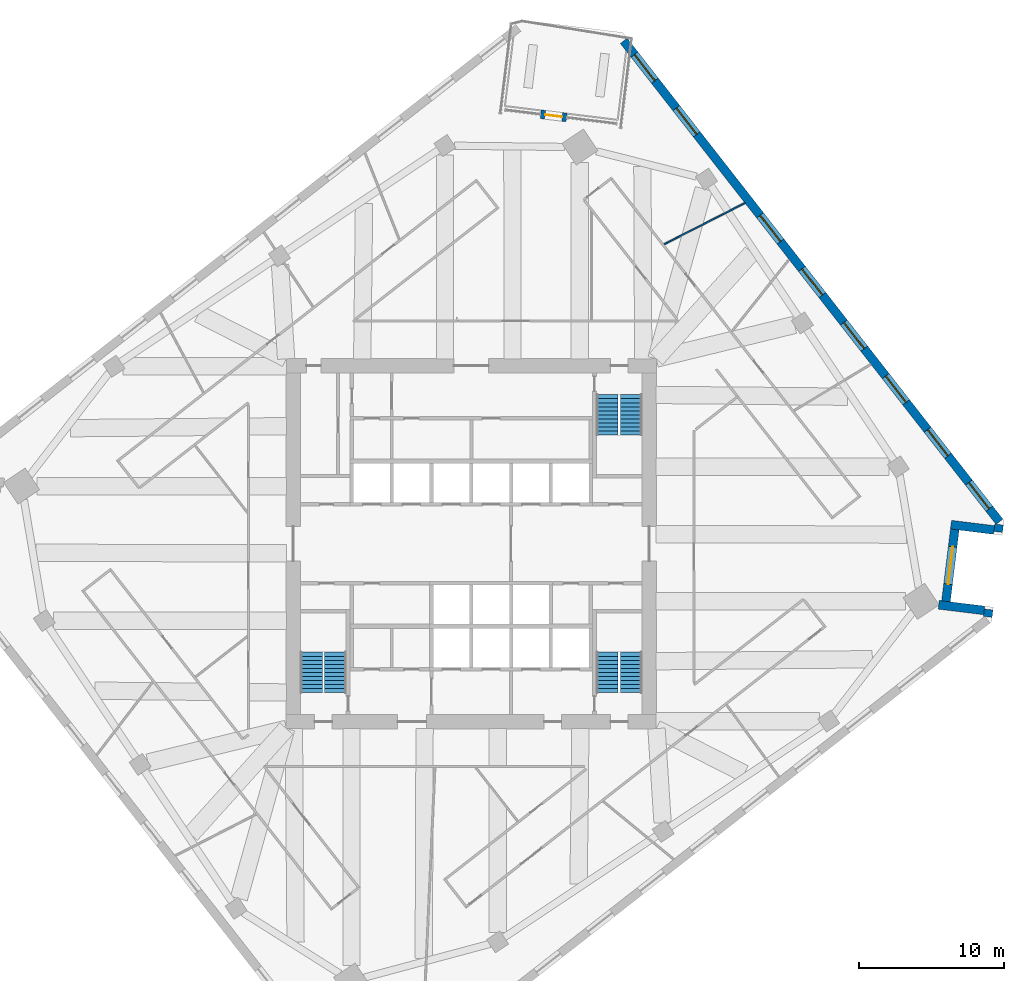
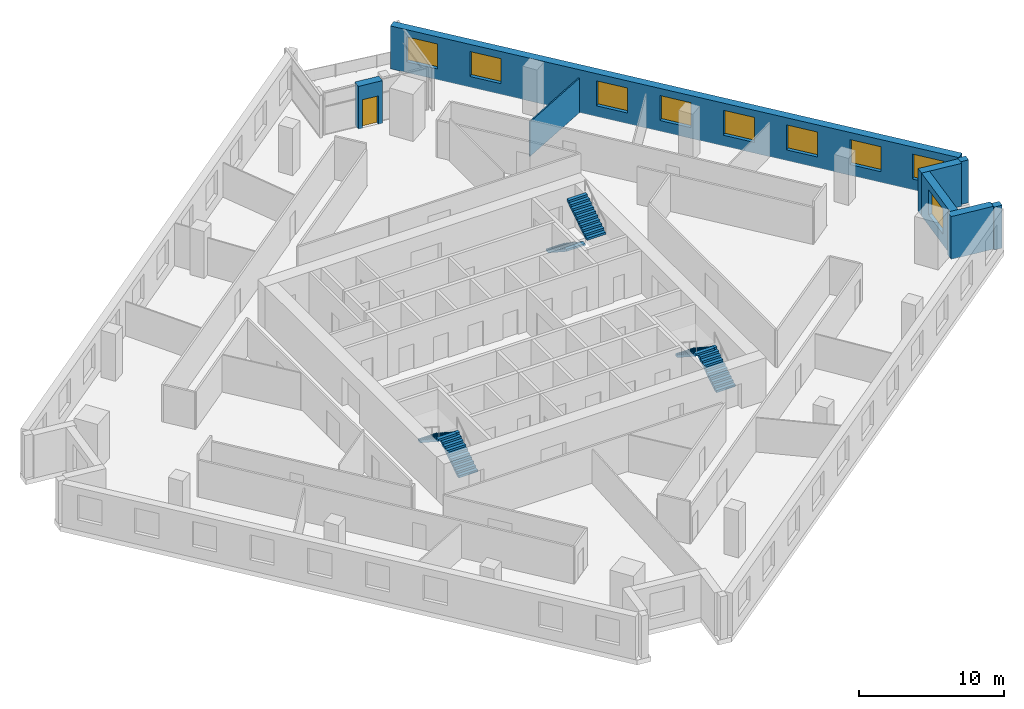
# One storey, part 9 of 11: 9 windows, 8 walls, 6 stair flights, 1 door, 10 openings, 3 elements without a shape of their own.
"""IFC4 building model written with IfcOpenShell, lengths in metres."""

from ifc_helpers import new_model, si_unit, direction, frame, frame_2d, origin, place, context, subcontext, project, spatial, polyline, rectangle, outline, extrude, material, layer, layer_set, type_object, element, fill, aggregate, save


model = new_model("IFC4")

# Units and contexts
model_context = context("Model", 3, precision=1e-05, world=origin(), true_north=direction((0.0, 1.0)))
body_context = subcontext(model_context, "Body", "Model", "MODEL_VIEW")
ifc_project = project(units=[si_unit("LENGTHUNIT", "METRE"), si_unit("AREAUNIT", "SQUARE_METRE"), si_unit("VOLUMEUNIT", "CUBIC_METRE"), si_unit("PLANEANGLEUNIT", "RADIAN"), si_unit("MASSUNIT", "GRAM", prefix="KILO")], contexts=[model_context])

# Site, building, storey
site_placement = place(None, origin())
site = spatial("IfcSite", under=ifc_project, at=site_placement, CompositionType="ELEMENT")
building_placement = place(site_placement, origin())
building = spatial("IfcBuilding", under=site, at=building_placement, Name="Dilmun Exchange Tower", CompositionType="ELEMENT")
storey_placement = place(building_placement, frame((0.0, 0.0, 179.699951171875)))
storey = spatial("IfcBuildingStorey", under=building, at=storey_placement, Name="L42", CompositionType="ELEMENT", Elevation=179.699951171875)

# Walls
ifc_material_1 = material(Name="Partition 100")
ifc_layer_1 = layer(ifc_material_1, 0.10009765625)
ifc_layer_set_1 = layer_set([ifc_layer_1], Name="Partition 100")
wall_type_1 = type_object("IfcWallType", Name="Partition 100", PredefinedType="PARTITIONING", material=ifc_layer_set_1)
wall_1_placement = place(storey_placement, frame((13.32958984375, 20.6962890625, 0.0), z_axis=(0.0, 0.0, 1.0), x_axis=(0.890489061699, 0.455004649421, 0.0)))
element("IfcWall", 1, at=wall_1_placement, inside=storey, type_object=wall_type_1, Name="Partition", PredefinedType="PARTITIONING", context=body_context, shape_type="SweptSolid", body=[
    extrude(rectangle(XDim=6.26611328125, YDim=0.10009765625, at=frame_2d((3.133056640625, 0.0))), origin(), (0.0, 0.0, 1.0), 2.900146484375),
])
ifc_material_2 = material(Name="Precast concrete C50/60", Category="concrete")
ifc_layer_2 = layer(ifc_material_2, 0.60009765625)
ifc_layer_set_2 = layer_set([ifc_layer_2], Name="Precast concrete C50/60")
wall_type_2 = type_object("IfcWallType", Name="Precast stone-clad wall 600", PredefinedType="STANDARD", material=ifc_layer_set_2)
wall_2_placement = place(storey_placement, frame((35.695556640625, -5.053466796875, 0.0), z_axis=(0.0, 0.0, 1.0), x_axis=(0.121800492671, 0.992554603024, 0.0)))
element("IfcWall", 2, at=wall_2_placement, inside=storey, type_object=wall_type_2, Name="Facade wall L42-16", PredefinedType="STANDARD", context=body_context, shape_type="SweptSolid", body=[
    extrude(rectangle(XDim=0.51123046875, YDim=0.60009765625, at=frame_2d((0.255615234375, 0.0))), origin(), (0.0, 0.0, 1.0), 3.60009765625),
])
wall_3_placement = place(storey_placement, frame((35.44775390625, -4.60888671875, 0.0), z_axis=(0.0, 0.0, 1.0), x_axis=(-0.992542310393, 0.12190062379, 0.0)))
element("IfcWall", 3, at=wall_3_placement, inside=storey, type_object=wall_type_2, Name="Facade wall L42-17", PredefinedType="STANDARD", context=body_context, shape_type="SweptSolid", body=[
    extrude(rectangle(XDim=3.16845703125, YDim=0.60009765625, at=frame_2d((1.584228515625, 0.0))), origin(), (0.0, 0.0, 1.0), 3.60009765625),
])

# Wall, opening, window
wall_4_placement = place(storey_placement, frame((32.804443359375, -3.98193359375, 0.0), z_axis=(0.0, 0.0, 1.0), x_axis=(0.121876954874, 0.992545217041, 0.0)))
wall_4 = element("IfcWall", 4, at=wall_4_placement, inside=storey, type_object=wall_type_2, Name="Facade wall L42-18", PredefinedType="STANDARD", context=body_context, shape_type="SweptSolid", body=[
    extrude(rectangle(XDim=5.0, YDim=0.60009765625, at=frame_2d((2.5, 0.0))), origin(), (0.0, 0.0, 1.0), 3.60009765625),
])
opening_1_placement = place(wall_4_placement, frame((1.199951171875, 0.0, 0.89990234375)))
opening_1 = element("IfcOpeningElement", 5, at=opening_1_placement, cuts=wall_4, Name="Opening W260-210", PredefinedType="OPENING", context=body_context, shape_type="SweptSolid", body=[
    extrude(rectangle(XDim=2.60009765625, YDim=2.10009765625, at=frame_2d((1.300048828125, 1.050048828125))), frame((0.0, 0.31005859375, 0.0), z_axis=(0.0, -1.0, 0.0), x_axis=(1.0, 0.0, 0.0)), (0.0, 0.0, 1.0), 0.6201171875),
])
ifc_material_3 = material(Name="Clear low-emissivity glass in aluminium frame", Category="aluminium")
window_type_1 = type_object("IfcWindowType", Name="Punched window 2600 x 2100", PartitioningType="DOUBLE_PANEL_VERTICAL", PredefinedType="WINDOW", material=ifc_material_3)
window_1_placement = place(opening_1_placement, origin())
window_1 = element("IfcWindow", 6, at=window_1_placement, inside=storey, type_object=window_type_1, Name="Window 19.1", OverallHeight=2.10009765625, OverallWidth=2.60009765625, PartitioningType="SINGLE_PANEL", PredefinedType="WINDOW", context=body_context, shape_type="SweptSolid", body=[
    extrude(rectangle(XDim=2.60009765625, YDim=2.10009765625, at=frame_2d((1.300048828125, 1.050048828125))), frame((0.0, 0.030029296875, 0.0), z_axis=(0.0, -1.0, 0.0), x_axis=(1.0, 0.0, 0.0)), (0.0, 0.0, 1.0), 0.06005859375),
])
fill(opening_1, window_1)

# Walls
wall_5_placement = place(storey_placement, frame((33.152587890625, 1.315185546875, 0.0), z_axis=(0.0, 0.0, 1.0), x_axis=(0.992542246186, -0.121901146576, 0.0)))
element("IfcWall", 7, at=wall_5_placement, inside=storey, type_object=wall_type_2, Name="Facade wall L42-19", PredefinedType="STANDARD", context=body_context, shape_type="SweptSolid", body=[
    extrude(rectangle(XDim=3.000244140625, YDim=0.60009765625, at=frame_2d((1.5, 0.0))), origin(), (0.0, 0.0, 1.0), 3.60009765625),
])
wall_6_placement = place(storey_placement, frame((36.416015625, 0.813720703125, 0.0), z_axis=(0.0, 0.0, 1.0), x_axis=(0.121800492671, 0.992554603024, 0.0)))
element("IfcWall", 8, at=wall_6_placement, inside=storey, type_object=wall_type_2, Name="Facade wall L42-20", PredefinedType="STANDARD", context=body_context, shape_type="SweptSolid", body=[
    extrude(rectangle(XDim=0.51123046875, YDim=0.60009765625, at=frame_2d((0.255615234375, 0.0))), origin(), (0.0, 0.0, 1.0), 3.60009765625),
])

# Wall, openings, windows
wall_7_placement = place(storey_placement, frame((36.502685546875, 1.51953125, 0.0), z_axis=(0.0, 0.0, 1.0), x_axis=(-0.615660779349, 0.788011297363, 0.0)))
wall_7 = element("IfcWall", 9, at=wall_7_placement, inside=storey, type_object=wall_type_2, Name="Facade wall L42-21", PredefinedType="STANDARD", context=body_context, shape_type="SweptSolid", body=[
    extrude(rectangle(XDim=42.176025390625, YDim=0.60009765625, at=frame_2d((21.087890625, 0.0))), origin(), (0.0, 0.0, 1.0), 3.60009765625),
])
opening_2_placement = place(wall_7_placement, frame((1.137939453125, 0.0, 0.89990234375)))
opening_2 = element("IfcOpeningElement", 10, at=opening_2_placement, cuts=wall_7, Name="Opening W230-210", PredefinedType="OPENING", context=body_context, shape_type="SweptSolid", body=[
    extrude(rectangle(XDim=2.300048828125, YDim=2.10009765625, at=frame_2d((1.14990234375, 1.050048828125))), frame((0.0, 0.31005859375, 0.0), z_axis=(0.0, -1.0, 0.0), x_axis=(1.0, 0.0, 0.0)), (0.0, 0.0, 1.0), 0.6201171875),
])
opening_3_placement = place(wall_7_placement, frame((5.775634765625, 0.0, 0.89990234375)))
opening_3 = element("IfcOpeningElement", 11, at=opening_3_placement, cuts=wall_7, Name="Opening W230-210", PredefinedType="OPENING", context=body_context, shape_type="SweptSolid", body=[
    extrude(rectangle(XDim=2.300048828125, YDim=2.10009765625, at=frame_2d((1.14990234375, 1.050048828125))), frame((0.0, 0.31005859375, 0.0), z_axis=(0.0, -1.0, 0.0), x_axis=(1.0, 0.0, 0.0)), (0.0, 0.0, 1.0), 0.6201171875),
])
opening_4_placement = place(wall_7_placement, frame((10.4755859375, 0.0, 0.89990234375)))
opening_4 = element("IfcOpeningElement", 12, at=opening_4_placement, cuts=wall_7, Name="Opening W230-210", PredefinedType="OPENING", context=body_context, shape_type="SweptSolid", body=[
    extrude(rectangle(XDim=2.300048828125, YDim=2.10009765625, at=frame_2d((1.14990234375, 1.050048828125))), frame((0.0, 0.31005859375, 0.0), z_axis=(0.0, -1.0, 0.0), x_axis=(1.0, 0.0, 0.0)), (0.0, 0.0, 1.0), 0.6201171875),
])
opening_5_placement = place(wall_7_placement, frame((15.17578125, 0.0, 0.89990234375)))
opening_5 = element("IfcOpeningElement", 13, at=opening_5_placement, cuts=wall_7, Name="Opening W230-210", PredefinedType="OPENING", context=body_context, shape_type="SweptSolid", body=[
    extrude(rectangle(XDim=2.300048828125, YDim=2.10009765625, at=frame_2d((1.14990234375, 1.050048828125))), frame((0.0, 0.31005859375, 0.0), z_axis=(0.0, -1.0, 0.0), x_axis=(1.0, 0.0, 0.0)), (0.0, 0.0, 1.0), 0.6201171875),
])
opening_6_placement = place(wall_7_placement, frame((19.875732421875, 0.0, 0.89990234375)))
opening_6 = element("IfcOpeningElement", 14, at=opening_6_placement, cuts=wall_7, Name="Opening W230-210", PredefinedType="OPENING", context=body_context, shape_type="SweptSolid", body=[
    extrude(rectangle(XDim=2.300048828125, YDim=2.10009765625, at=frame_2d((1.14990234375, 1.050048828125))), frame((0.0, 0.31005859375, 0.0), z_axis=(0.0, -1.0, 0.0), x_axis=(1.0, 0.0, 0.0)), (0.0, 0.0, 1.0), 0.6201171875),
])
opening_7_placement = place(wall_7_placement, frame((24.57568359375, 0.0, 0.89990234375)))
opening_7 = element("IfcOpeningElement", 15, at=opening_7_placement, cuts=wall_7, Name="Opening W230-210", PredefinedType="OPENING", context=body_context, shape_type="SweptSolid", body=[
    extrude(rectangle(XDim=2.300048828125, YDim=2.10009765625, at=frame_2d((1.14990234375, 1.050048828125))), frame((0.0, 0.31005859375, 0.0), z_axis=(0.0, -1.0, 0.0), x_axis=(1.0, 0.0, 0.0)), (0.0, 0.0, 1.0), 0.6201171875),
])
opening_8_placement = place(wall_7_placement, frame((33.9755859375, 0.0, 0.89990234375)))
opening_8 = element("IfcOpeningElement", 16, at=opening_8_placement, cuts=wall_7, Name="Opening W230-210", PredefinedType="OPENING", context=body_context, shape_type="SweptSolid", body=[
    extrude(rectangle(XDim=2.300048828125, YDim=2.10009765625, at=frame_2d((1.14990234375, 1.050048828125))), frame((0.0, 0.31005859375, 0.0), z_axis=(0.0, -1.0, 0.0), x_axis=(1.0, 0.0, 0.0)), (0.0, 0.0, 1.0), 0.6201171875),
])
opening_9_placement = place(wall_7_placement, frame((38.67578125, 0.0, 0.89990234375)))
opening_9 = element("IfcOpeningElement", 17, at=opening_9_placement, cuts=wall_7, Name="Opening W230-210", PredefinedType="OPENING", context=body_context, shape_type="SweptSolid", body=[
    extrude(rectangle(XDim=2.300048828125, YDim=2.10009765625, at=frame_2d((1.14990234375, 1.050048828125))), frame((0.0, 0.31005859375, 0.0), z_axis=(0.0, -1.0, 0.0), x_axis=(1.0, 0.0, 0.0)), (0.0, 0.0, 1.0), 0.6201171875),
])
window_type_2 = type_object("IfcWindowType", Name="Punched window 2300 x 2100", PartitioningType="DOUBLE_PANEL_VERTICAL", PredefinedType="WINDOW", material=ifc_material_3)
window_2_placement = place(opening_2_placement, origin())
window_2 = element("IfcWindow", 18, at=window_2_placement, inside=storey, type_object=window_type_2, Name="Window 22.1", OverallHeight=2.10009765625, OverallWidth=2.300048828125, PartitioningType="SINGLE_PANEL", PredefinedType="WINDOW", context=body_context, shape_type="SweptSolid", body=[
    extrude(rectangle(XDim=2.300048828125, YDim=2.10009765625, at=frame_2d((1.14990234375, 1.050048828125))), frame((0.0, 0.030029296875, 0.0), z_axis=(0.0, -1.0, 0.0), x_axis=(1.0, 0.0, 0.0)), (0.0, 0.0, 1.0), 0.06005859375),
])
fill(opening_2, window_2)
window_3_placement = place(opening_3_placement, origin())
window_3 = element("IfcWindow", 19, at=window_3_placement, inside=storey, type_object=window_type_2, Name="Window 22.2", OverallHeight=2.10009765625, OverallWidth=2.300048828125, PartitioningType="SINGLE_PANEL", PredefinedType="WINDOW", context=body_context, shape_type="SweptSolid", body=[
    extrude(rectangle(XDim=2.300048828125, YDim=2.10009765625, at=frame_2d((1.14990234375, 1.050048828125))), frame((0.0, 0.030029296875, 0.0), z_axis=(0.0, -1.0, 0.0), x_axis=(1.0, 0.0, 0.0)), (0.0, 0.0, 1.0), 0.06005859375),
])
fill(opening_3, window_3)
window_4_placement = place(opening_4_placement, origin())
window_4 = element("IfcWindow", 20, at=window_4_placement, inside=storey, type_object=window_type_2, Name="Window 22.3", OverallHeight=2.10009765625, OverallWidth=2.300048828125, PartitioningType="SINGLE_PANEL", PredefinedType="WINDOW", context=body_context, shape_type="SweptSolid", body=[
    extrude(rectangle(XDim=2.300048828125, YDim=2.10009765625, at=frame_2d((1.14990234375, 1.050048828125))), frame((0.0, 0.030029296875, 0.0), z_axis=(0.0, -1.0, 0.0), x_axis=(1.0, 0.0, 0.0)), (0.0, 0.0, 1.0), 0.06005859375),
])
fill(opening_4, window_4)
window_5_placement = place(opening_5_placement, origin())
window_5 = element("IfcWindow", 21, at=window_5_placement, inside=storey, type_object=window_type_2, Name="Window 22.4", OverallHeight=2.10009765625, OverallWidth=2.300048828125, PartitioningType="SINGLE_PANEL", PredefinedType="WINDOW", context=body_context, shape_type="SweptSolid", body=[
    extrude(rectangle(XDim=2.300048828125, YDim=2.10009765625, at=frame_2d((1.14990234375, 1.050048828125))), frame((0.0, 0.030029296875, 0.0), z_axis=(0.0, -1.0, 0.0), x_axis=(1.0, 0.0, 0.0)), (0.0, 0.0, 1.0), 0.06005859375),
])
fill(opening_5, window_5)
window_6_placement = place(opening_6_placement, origin())
window_6 = element("IfcWindow", 22, at=window_6_placement, inside=storey, type_object=window_type_2, Name="Window 22.5", OverallHeight=2.10009765625, OverallWidth=2.300048828125, PartitioningType="SINGLE_PANEL", PredefinedType="WINDOW", context=body_context, shape_type="SweptSolid", body=[
    extrude(rectangle(XDim=2.300048828125, YDim=2.10009765625, at=frame_2d((1.14990234375, 1.050048828125))), frame((0.0, 0.030029296875, 0.0), z_axis=(0.0, -1.0, 0.0), x_axis=(1.0, 0.0, 0.0)), (0.0, 0.0, 1.0), 0.06005859375),
])
fill(opening_6, window_6)
window_7_placement = place(opening_7_placement, origin())
window_7 = element("IfcWindow", 23, at=window_7_placement, inside=storey, type_object=window_type_2, Name="Window 22.6", OverallHeight=2.10009765625, OverallWidth=2.300048828125, PartitioningType="SINGLE_PANEL", PredefinedType="WINDOW", context=body_context, shape_type="SweptSolid", body=[
    extrude(rectangle(XDim=2.300048828125, YDim=2.10009765625, at=frame_2d((1.14990234375, 1.050048828125))), frame((0.0, 0.030029296875, 0.0), z_axis=(0.0, -1.0, 0.0), x_axis=(1.0, 0.0, 0.0)), (0.0, 0.0, 1.0), 0.06005859375),
])
fill(opening_7, window_7)
window_8_placement = place(opening_8_placement, origin())
window_8 = element("IfcWindow", 24, at=window_8_placement, inside=storey, type_object=window_type_2, Name="Window 22.8", OverallHeight=2.10009765625, OverallWidth=2.300048828125, PartitioningType="SINGLE_PANEL", PredefinedType="WINDOW", context=body_context, shape_type="SweptSolid", body=[
    extrude(rectangle(XDim=2.300048828125, YDim=2.10009765625, at=frame_2d((1.14990234375, 1.050048828125))), frame((0.0, 0.030029296875, 0.0), z_axis=(0.0, -1.0, 0.0), x_axis=(1.0, 0.0, 0.0)), (0.0, 0.0, 1.0), 0.06005859375),
])
fill(opening_8, window_8)
window_9_placement = place(opening_9_placement, origin())
window_9 = element("IfcWindow", 25, at=window_9_placement, inside=storey, type_object=window_type_2, Name="Window 22.9", OverallHeight=2.10009765625, OverallWidth=2.300048828125, PartitioningType="SINGLE_PANEL", PredefinedType="WINDOW", context=body_context, shape_type="SweptSolid", body=[
    extrude(rectangle(XDim=2.300048828125, YDim=2.10009765625, at=frame_2d((1.14990234375, 1.050048828125))), frame((0.0, 0.030029296875, 0.0), z_axis=(0.0, -1.0, 0.0), x_axis=(1.0, 0.0, 0.0)), (0.0, 0.0, 1.0), 0.06005859375),
])
fill(opening_9, window_9)

# Wall, opening, door
wall_8_placement = place(storey_placement, frame((6.585205078125, 29.46240234375, 0.0), z_axis=(0.0, 0.0, 1.0), x_axis=(-0.992554965996, 0.121797534772, 0.0)))
wall_8 = element("IfcWall", 26, at=wall_8_placement, inside=storey, type_object=wall_type_2, Name="Facade wall L42-01-D", PredefinedType="STANDARD", context=body_context, shape_type="SweptSolid", body=[
    extrude(rectangle(XDim=1.800048828125, YDim=0.60009765625, at=frame_2d((0.89990234375, 0.0))), origin(), (0.0, 0.0, 1.0), 3.60009765625),
])
opening_10_placement = place(wall_8_placement, frame((0.300048828125, 0.0, 0.0)))
opening_10 = element("IfcOpeningElement", 27, at=opening_10_placement, cuts=wall_8, Name="Opening GD-1", PredefinedType="OPENING", context=body_context, shape_type="SweptSolid", body=[
    extrude(rectangle(XDim=1.199951171875, YDim=2.39990234375, at=frame_2d((0.60009765625, 1.199951171875))), frame((0.0, 0.31005859375, 0.0), z_axis=(0.0, -1.0, 0.0), x_axis=(1.0, 0.0, 0.0)), (0.0, 0.0, 1.0), 0.6201171875),
])
door_type = type_object("IfcDoorType", Name="Glazed garden door 1200 x 2400", OperationType="SINGLE_SWING_LEFT", PredefinedType="DOOR", material=ifc_material_3)
door_placement = place(opening_10_placement, origin())
door = element("IfcDoor", 28, at=door_placement, inside=storey, type_object=door_type, Name="Garden terrace door", OperationType="SINGLE_SWING_LEFT", OverallHeight=2.39990234375, OverallWidth=1.199951171875, PredefinedType="DOOR", context=body_context, shape_type="SweptSolid", body=[
    extrude(rectangle(XDim=1.199951171875, YDim=2.39990234375, at=frame_2d((0.60009765625, 1.199951171875))), frame((0.0, 0.02490234375, 0.0), z_axis=(0.0, -1.0, 0.0), x_axis=(1.0, 0.0, 0.0)), (0.0, 0.0, 1.0), 0.050048828125),
])
fill(opening_10, door)

# Stair, stair flights
ifc_material_4 = material(Name="Concrete C40/50", Category="concrete")
stair_type = type_object("IfcStairType", Name="Exit stair 1500 half-turn", PredefinedType="HALF_TURN_STAIR", material=ifc_material_4)
stair_1_placement = place(storey_placement, origin())
stair_1 = element("IfcStair", 29, at=stair_1_placement, inside=storey, type_object=stair_type, Name="L42 Protected exit stair ST1", PredefinedType="HALF_TURN_STAIR")
stair_flight_type = type_object("IfcStairFlightType", Name="Exit stair flight 1500", PredefinedType="STRAIGHT", material=ifc_material_4)
stair_flight_1_placement = place(storey_placement, frame((9.39990234375, 10.300048828125, 0.0), z_axis=(0.0, 0.0, 1.0), x_axis=(0.0, -1.0, 0.0)))
stair_flight_1 = element("IfcStairFlight", 30, at=stair_flight_1_placement, type_object=stair_flight_type, Name="ST1 flight 1", NumberOfRisers=11, NumberOfTreads=10, PredefinedType="STRAIGHT", RiserHeight=0.181818182, TreadLength=0.28, context=body_context, shape_type="SweptSolid", body=[
    extrude(outline(polyline([(0.0, 0.0), (0.0, 0.181884765625), (0.280029296875, 0.181884765625), (0.280029296875, 0.363525390625), (0.56005859375, 0.363525390625), (0.56005859375, 0.54541015625), (0.840087890625, 0.54541015625), (0.840087890625, 0.727294921875), (1.1201171875, 0.727294921875), (1.1201171875, 0.9091796875), (1.39990234375, 0.9091796875), (1.39990234375, 1.0908203125), (1.679931640625, 1.0908203125), (1.679931640625, 1.272705078125), (1.9599609375, 1.272705078125), (1.9599609375, 1.45458984375), (2.239990234375, 1.45458984375), (2.239990234375, 1.636474609375), (2.52001953125, 1.636474609375), (2.52001953125, 1.818115234375), (2.800048828125, 1.818115234375), (2.800048828125, 2.0), (2.800048828125, 1.639404296875), (0.275146484375, 0.0), (0.0, 0.0)])), frame((0.0, 0.75, 0.0), z_axis=(0.0, -1.0, 0.0), x_axis=(1.0, 0.0, 0.0)), (0.0, 0.0, 1.0), 1.5),
])
stair_flight_2_placement = place(storey_placement, frame((11.050048828125, 7.5, 2.0), z_axis=(0.0, 0.0, 1.0), x_axis=(0.0, 1.0, 0.0)))
stair_flight_2 = element("IfcStairFlight", 31, at=stair_flight_2_placement, type_object=stair_flight_type, Name="ST1 flight 2", NumberOfRisers=11, NumberOfTreads=10, PredefinedType="STRAIGHT", RiserHeight=0.181818182, TreadLength=0.28, context=body_context, shape_type="SweptSolid", body=[
    extrude(outline(polyline([(0.0, 0.0), (0.0, 0.181884765625), (0.280029296875, 0.181884765625), (0.280029296875, 0.363525390625), (0.56005859375, 0.363525390625), (0.56005859375, 0.54541015625), (0.840087890625, 0.54541015625), (0.840087890625, 0.727294921875), (1.1201171875, 0.727294921875), (1.1201171875, 0.9091796875), (1.39990234375, 0.9091796875), (1.39990234375, 1.0908203125), (1.679931640625, 1.0908203125), (1.679931640625, 1.272705078125), (1.9599609375, 1.272705078125), (1.9599609375, 1.45458984375), (2.239990234375, 1.45458984375), (2.239990234375, 1.636474609375), (2.52001953125, 1.636474609375), (2.52001953125, 1.818115234375), (2.800048828125, 1.818115234375), (2.800048828125, 2.0), (2.800048828125, 1.639404296875), (0.275146484375, 0.0), (0.0, 0.0)])), frame((0.0, 0.75, 0.0), z_axis=(0.0, -1.0, 0.0), x_axis=(1.0, 0.0, 0.0)), (0.0, 0.0, 1.0), 1.5),
])
aggregate(stair_1, [stair_flight_1, stair_flight_2])

stair_2_placement = place(storey_placement, origin())
stair_2 = element("IfcStair", 32, at=stair_2_placement, inside=storey, type_object=stair_type, Name="L42 Protected exit stair ST2", PredefinedType="HALF_TURN_STAIR")
stair_flight_3_placement = place(storey_placement, frame((-9.39990234375, -10.300048828125, 0.0), z_axis=(0.0, 0.0, 1.0), x_axis=(0.0, 1.0, 0.0)))
stair_flight_3 = element("IfcStairFlight", 33, at=stair_flight_3_placement, type_object=stair_flight_type, Name="ST2 flight 1", NumberOfRisers=11, NumberOfTreads=10, PredefinedType="STRAIGHT", RiserHeight=0.181818182, TreadLength=0.28, context=body_context, shape_type="SweptSolid", body=[
    extrude(outline(polyline([(0.0, 0.0), (0.0, 0.181884765625), (0.280029296875, 0.181884765625), (0.280029296875, 0.363525390625), (0.56005859375, 0.363525390625), (0.56005859375, 0.54541015625), (0.840087890625, 0.54541015625), (0.840087890625, 0.727294921875), (1.1201171875, 0.727294921875), (1.1201171875, 0.9091796875), (1.39990234375, 0.9091796875), (1.39990234375, 1.0908203125), (1.679931640625, 1.0908203125), (1.679931640625, 1.272705078125), (1.9599609375, 1.272705078125), (1.9599609375, 1.45458984375), (2.239990234375, 1.45458984375), (2.239990234375, 1.636474609375), (2.52001953125, 1.636474609375), (2.52001953125, 1.818115234375), (2.800048828125, 1.818115234375), (2.800048828125, 2.0), (2.800048828125, 1.639404296875), (0.275146484375, 0.0), (0.0, 0.0)])), frame((0.0, 0.75, 0.0), z_axis=(0.0, -1.0, 0.0), x_axis=(1.0, 0.0, 0.0)), (0.0, 0.0, 1.0), 1.5),
])
stair_flight_4_placement = place(storey_placement, frame((-11.050048828125, -7.5, 2.0), z_axis=(0.0, 0.0, 1.0), x_axis=(0.0, -1.0, 0.0)))
stair_flight_4 = element("IfcStairFlight", 34, at=stair_flight_4_placement, type_object=stair_flight_type, Name="ST2 flight 2", NumberOfRisers=11, NumberOfTreads=10, PredefinedType="STRAIGHT", RiserHeight=0.181818182, TreadLength=0.28, context=body_context, shape_type="SweptSolid", body=[
    extrude(outline(polyline([(0.0, 0.0), (0.0, 0.181884765625), (0.280029296875, 0.181884765625), (0.280029296875, 0.363525390625), (0.56005859375, 0.363525390625), (0.56005859375, 0.54541015625), (0.840087890625, 0.54541015625), (0.840087890625, 0.727294921875), (1.1201171875, 0.727294921875), (1.1201171875, 0.9091796875), (1.39990234375, 0.9091796875), (1.39990234375, 1.0908203125), (1.679931640625, 1.0908203125), (1.679931640625, 1.272705078125), (1.9599609375, 1.272705078125), (1.9599609375, 1.45458984375), (2.239990234375, 1.45458984375), (2.239990234375, 1.636474609375), (2.52001953125, 1.636474609375), (2.52001953125, 1.818115234375), (2.800048828125, 1.818115234375), (2.800048828125, 2.0), (2.800048828125, 1.639404296875), (0.275146484375, 0.0), (0.0, 0.0)])), frame((0.0, 0.75, 0.0), z_axis=(0.0, -1.0, 0.0), x_axis=(1.0, 0.0, 0.0)), (0.0, 0.0, 1.0), 1.5),
])
aggregate(stair_2, [stair_flight_3, stair_flight_4])

stair_3_placement = place(storey_placement, origin())
stair_3 = element("IfcStair", 35, at=stair_3_placement, inside=storey, type_object=stair_type, Name="L42 Protected exit stair ST3", PredefinedType="HALF_TURN_STAIR")
stair_flight_5_placement = place(storey_placement, frame((11.050048828125, -10.300048828125, 0.0), z_axis=(0.0, 0.0, 1.0), x_axis=(0.0, 1.0, 0.0)))
stair_flight_5 = element("IfcStairFlight", 36, at=stair_flight_5_placement, type_object=stair_flight_type, Name="ST3 flight 1", NumberOfRisers=11, NumberOfTreads=10, PredefinedType="STRAIGHT", RiserHeight=0.181818182, TreadLength=0.28, context=body_context, shape_type="SweptSolid", body=[
    extrude(outline(polyline([(0.0, 0.0), (0.0, 0.181884765625), (0.280029296875, 0.181884765625), (0.280029296875, 0.363525390625), (0.56005859375, 0.363525390625), (0.56005859375, 0.54541015625), (0.840087890625, 0.54541015625), (0.840087890625, 0.727294921875), (1.1201171875, 0.727294921875), (1.1201171875, 0.9091796875), (1.39990234375, 0.9091796875), (1.39990234375, 1.0908203125), (1.679931640625, 1.0908203125), (1.679931640625, 1.272705078125), (1.9599609375, 1.272705078125), (1.9599609375, 1.45458984375), (2.239990234375, 1.45458984375), (2.239990234375, 1.636474609375), (2.52001953125, 1.636474609375), (2.52001953125, 1.818115234375), (2.800048828125, 1.818115234375), (2.800048828125, 2.0), (2.800048828125, 1.639404296875), (0.275146484375, 0.0), (0.0, 0.0)])), frame((0.0, 0.75, 0.0), z_axis=(0.0, -1.0, 0.0), x_axis=(1.0, 0.0, 0.0)), (0.0, 0.0, 1.0), 1.5),
])
stair_flight_6_placement = place(storey_placement, frame((9.39990234375, -7.5, 2.0), z_axis=(0.0, 0.0, 1.0), x_axis=(0.0, -1.0, 0.0)))
stair_flight_6 = element("IfcStairFlight", 37, at=stair_flight_6_placement, type_object=stair_flight_type, Name="ST3 flight 2", NumberOfRisers=11, NumberOfTreads=10, PredefinedType="STRAIGHT", RiserHeight=0.181818182, TreadLength=0.28, context=body_context, shape_type="SweptSolid", body=[
    extrude(outline(polyline([(0.0, 0.0), (0.0, 0.181884765625), (0.280029296875, 0.181884765625), (0.280029296875, 0.363525390625), (0.56005859375, 0.363525390625), (0.56005859375, 0.54541015625), (0.840087890625, 0.54541015625), (0.840087890625, 0.727294921875), (1.1201171875, 0.727294921875), (1.1201171875, 0.9091796875), (1.39990234375, 0.9091796875), (1.39990234375, 1.0908203125), (1.679931640625, 1.0908203125), (1.679931640625, 1.272705078125), (1.9599609375, 1.272705078125), (1.9599609375, 1.45458984375), (2.239990234375, 1.45458984375), (2.239990234375, 1.636474609375), (2.52001953125, 1.636474609375), (2.52001953125, 1.818115234375), (2.800048828125, 1.818115234375), (2.800048828125, 2.0), (2.800048828125, 1.639404296875), (0.275146484375, 0.0), (0.0, 0.0)])), frame((0.0, 0.75, 0.0), z_axis=(0.0, -1.0, 0.0), x_axis=(1.0, 0.0, 0.0)), (0.0, 0.0, 1.0), 1.5),
])
aggregate(stair_3, [stair_flight_5, stair_flight_6])

save(model, "model.ifc")
